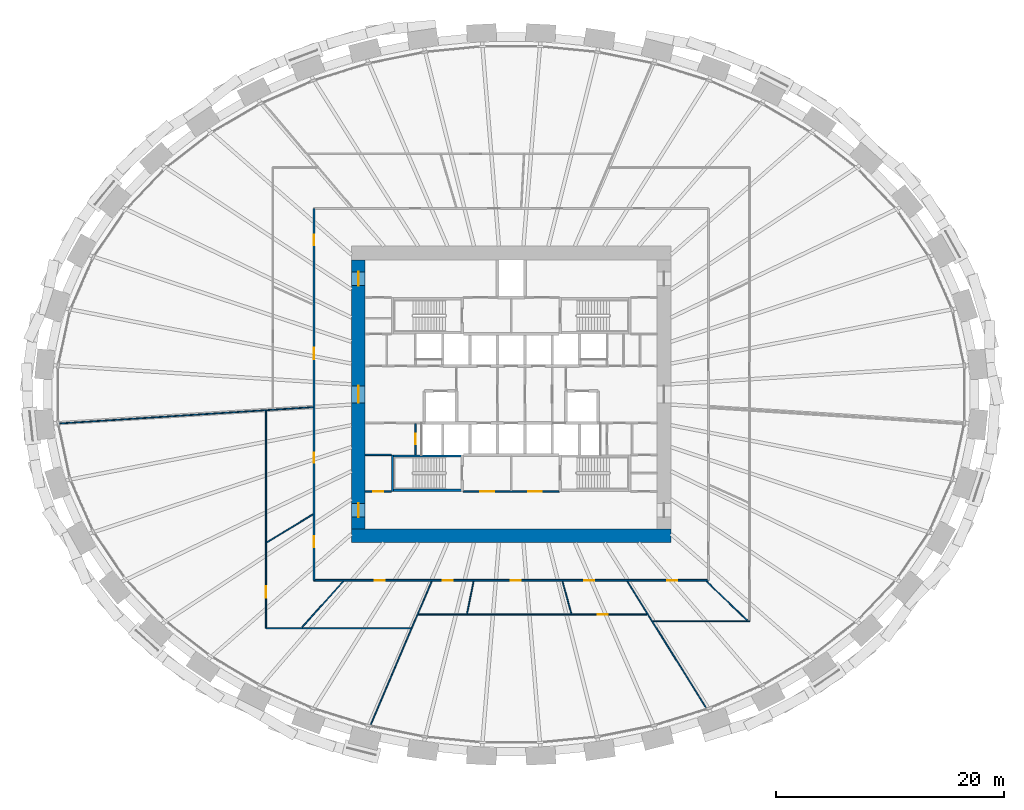
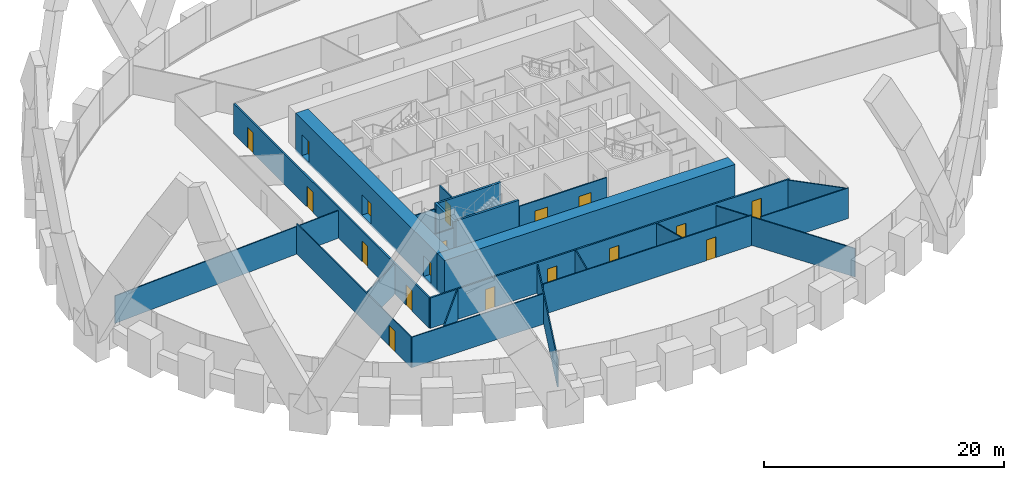
# One storey, part 7 of 12: 23 walls, 18 doors, 18 openings.
"""IFC4 building model written with IfcOpenShell, lengths in metres."""

from ifc_helpers import new_model, si_unit, direction, frame, frame_2d, origin, place, context, subcontext, project, spatial, rectangle, extrude, source, transform, mapped, material, layer, layer_set, type_object, element, fill, save


model = new_model("IFC4")

# Units and contexts
model_context = context("Model", 3, precision=1e-05, world=origin(), true_north=direction((0.0, 1.0)))
body_context = subcontext(model_context, "Body", "Model", "MODEL_VIEW")
ifc_project = project(units=[si_unit("LENGTHUNIT", "METRE"), si_unit("AREAUNIT", "SQUARE_METRE"), si_unit("VOLUMEUNIT", "CUBIC_METRE"), si_unit("PLANEANGLEUNIT", "RADIAN"), si_unit("MASSUNIT", "GRAM", prefix="KILO")], contexts=[model_context])

# Site, building, storey
site_placement = place(None, origin())
site = spatial("IfcSite", under=ifc_project, at=site_placement, CompositionType="ELEMENT")
building_placement = place(site_placement, origin())
building = spatial("IfcBuilding", under=site, at=building_placement, Name="Embergate Tower", CompositionType="ELEMENT")
storey_placement = place(building_placement, frame((0.0, 0.0, 85.39990234375)))
storey = spatial("IfcBuildingStorey", under=building, at=storey_placement, Name="L17", CompositionType="ELEMENT", Elevation=85.39990234375)

# Wall
ifc_material_1 = material(Name="Concrete C80", Category="concrete")
ifc_layer_1 = layer(ifc_material_1, 1.199951171875)
ifc_layer_set_1 = layer_set([ifc_layer_1], Name="Concrete C80")
wall_type_1 = type_object("IfcWallType", Name="Core outer wall C80 1200", PredefinedType="SHEAR", material=ifc_layer_set_1)
shared_shape_1 = source(origin(), body_context, "Body", "SweptSolid", [
    extrude(rectangle(XDim=28.0, YDim=1.199951171875, at=frame_2d((14.0, 0.0))), origin(), (0.0, 0.0, 1.0), 3.900146484375),
])
wall_1_placement = place(storey_placement, frame((-14.0, -12.39990234375, -0.199951171875), z_axis=(0.0, 0.0, 1.0), x_axis=(1.0, 0.0, 0.0)))
element("IfcWall", 1, at=wall_1_placement, inside=storey, type_object=wall_type_1, Name="CW-L17-S", PredefinedType="SHEAR", context=body_context, shape_type="MappedRepresentation", body=[
    mapped(shared_shape_1, transform((0.0, 0.0, 0.0))),
])

# Wall, openings, doors
shared_shape_2 = source(origin(), body_context, "Body", "SweptSolid", [
    extrude(rectangle(XDim=23.60009765625, YDim=1.199951171875, at=frame_2d((11.800048828125, 0.0))), origin(), (0.0, 0.0, 1.0), 3.900146484375),
])
wall_2_placement = place(storey_placement, frame((-13.39990234375, -11.800048828125, -0.199951171875), z_axis=(0.0, 0.0, 1.0), x_axis=(0.0, 1.0, 0.0)))
wall_2 = element("IfcWall", 2, at=wall_2_placement, inside=storey, type_object=wall_type_1, Name="CW-L17-W", PredefinedType="SHEAR", context=body_context, shape_type="MappedRepresentation", body=[
    mapped(shared_shape_2, transform((0.0, 0.0, 0.0))),
])
shared_shape_3 = source(origin(), body_context, "Body", "SweptSolid", [
    extrude(rectangle(XDim=1.199951171875, YDim=2.10009765625, at=frame_2d((0.60009765625, 1.050048828125))), frame((0.0, 0.60986328125, 0.0), z_axis=(0.0, -1.0, 0.0), x_axis=(1.0, 0.0, 0.0)), (0.0, 0.0, 1.0), 1.219970703125),
])
opening_1_placement = place(wall_2_placement, frame((21.35009765625, 0.0, 0.199951171875)))
opening_1 = element("IfcOpeningElement", 3, at=opening_1_placement, cuts=wall_2, Name="Opening IF-1", PredefinedType="OPENING", context=body_context, shape_type="MappedRepresentation", body=[
    mapped(shared_shape_3, transform((0.0, 0.0, 0.0))),
])
opening_2_placement = place(wall_2_placement, frame((1.050048828125, 0.0, 0.199951171875)))
opening_2 = element("IfcOpeningElement", 4, at=opening_2_placement, cuts=wall_2, Name="Opening IF-1", PredefinedType="OPENING", context=body_context, shape_type="MappedRepresentation", body=[
    mapped(shared_shape_3, transform((0.0, 0.0, 0.0))),
])
shared_shape_4 = source(origin(), body_context, "Body", "SweptSolid", [
    extrude(rectangle(XDim=1.5, YDim=2.10009765625, at=frame_2d((0.75, 1.050048828125))), frame((0.0, 0.60986328125, 0.0), z_axis=(0.0, -1.0, 0.0), x_axis=(1.0, 0.0, 0.0)), (0.0, 0.0, 1.0), 1.219970703125),
])
opening_3_placement = place(wall_2_placement, frame((11.050048828125, 0.0, 0.199951171875)))
opening_3 = element("IfcOpeningElement", 5, at=opening_3_placement, cuts=wall_2, Name="Opening IF-3", PredefinedType="OPENING", context=body_context, shape_type="MappedRepresentation", body=[
    mapped(shared_shape_4, transform((0.0, 0.0, 0.0))),
])
ifc_material_2 = material(Name="Escape fire door 1200")
door_type_1 = type_object("IfcDoorType", Name="Escape fire door 1200", OperationType="SINGLE_SWING_LEFT", PredefinedType="DOOR", material=ifc_material_2)
shared_shape_5 = source(origin(), body_context, "Body", "SweptSolid", [
    extrude(rectangle(XDim=1.199951171875, YDim=2.10009765625, at=frame_2d((0.60009765625, 1.050048828125))), frame((0.0, 0.02490234375, 0.0), z_axis=(0.0, -1.0, 0.0), x_axis=(1.0, 0.0, 0.0)), (0.0, 0.0, 1.0), 0.050048828125),
])
door_1_placement = place(opening_1_placement, origin())
door_1 = element("IfcDoor", 6, at=door_1_placement, inside=storey, type_object=door_type_1, Name="IF-1 door", OperationType="SINGLE_SWING_LEFT", OverallHeight=2.10009765625, OverallWidth=1.199951171875, PredefinedType="DOOR", context=body_context, shape_type="MappedRepresentation", body=[
    mapped(shared_shape_5, transform((0.0, 0.0, 0.0))),
])
fill(opening_1, door_1)
door_2_placement = place(opening_2_placement, origin())
door_2 = element("IfcDoor", 7, at=door_2_placement, inside=storey, type_object=door_type_1, Name="IF-1 door", OperationType="SINGLE_SWING_RIGHT", OverallHeight=2.10009765625, OverallWidth=1.199951171875, PredefinedType="DOOR", context=body_context, shape_type="MappedRepresentation", body=[
    mapped(shared_shape_5, transform((0.0, 0.0, 0.0))),
])
fill(opening_2, door_2)
ifc_material_3 = material(Name="Lobby fire door pair 1500")
door_type_2 = type_object("IfcDoorType", Name="Lobby fire door pair 1500", OperationType="DOUBLE_DOOR_SINGLE_SWING", PredefinedType="DOOR", material=ifc_material_3)
shared_shape_6 = source(origin(), body_context, "Body", "SweptSolid", [
    extrude(rectangle(XDim=1.5, YDim=2.10009765625, at=frame_2d((0.75, 1.050048828125))), frame((0.0, 0.02490234375, 0.0), z_axis=(0.0, -1.0, 0.0), x_axis=(1.0, 0.0, 0.0)), (0.0, 0.0, 1.0), 0.050048828125),
])
door_3_placement = place(opening_3_placement, origin())
door_3 = element("IfcDoor", 8, at=door_3_placement, inside=storey, type_object=door_type_2, Name="IF-3 door", OperationType="DOUBLE_DOOR_SINGLE_SWING", OverallHeight=2.10009765625, OverallWidth=1.5, PredefinedType="DOOR", context=body_context, shape_type="MappedRepresentation", body=[
    mapped(shared_shape_6, transform((0.0, 0.0, 0.0))),
])
fill(opening_3, door_3)

# Wall, opening, door
ifc_material_4 = material(Name="Core partition blockwork 120")
ifc_layer_2 = layer(ifc_material_4, 0.1201171875)
ifc_layer_set_2 = layer_set([ifc_layer_2], Name="Core partition blockwork 120")
wall_type_2 = type_object("IfcWallType", Name="Core partition blockwork 120", PredefinedType="PARTITIONING", material=ifc_layer_set_2)
shared_shape_7 = source(origin(), body_context, "Body", "SweptSolid", [
    extrude(rectangle(XDim=2.739990234375, YDim=0.1201171875, at=frame_2d((1.3701171875, 0.0))), origin(), (0.0, 0.0, 1.0), 3.10009765625),
])
wall_3_placement = place(storey_placement, frame((-8.39990234375, -2.56005859375, 0.0), z_axis=(0.0, 0.0, 1.0), x_axis=(0.0, -1.0, 0.0)))
wall_3 = element("IfcWall", 9, at=wall_3_placement, inside=storey, type_object=wall_type_2, Name="IP-3 wall", PredefinedType="PARTITIONING", context=body_context, shape_type="MappedRepresentation", body=[
    mapped(shared_shape_7, transform((0.0, 0.0, 0.0))),
])
shared_shape_8 = source(origin(), body_context, "Body", "SweptSolid", [
    extrude(rectangle(XDim=0.89990234375, YDim=2.10009765625, at=frame_2d((0.449951171875, 1.050048828125))), frame((0.0, 0.070068359375, 0.0), z_axis=(0.0, -1.0, 0.0), x_axis=(1.0, 0.0, 0.0)), (0.0, 0.0, 1.0), 0.14013671875),
])
opening_4_placement = place(wall_3_placement, frame((0.889892578125, 0.0, 0.0)))
opening_4 = element("IfcOpeningElement", 10, at=opening_4_placement, cuts=wall_3, Name="Opening ID-1", PredefinedType="OPENING", context=body_context, shape_type="MappedRepresentation", body=[
    mapped(shared_shape_8, transform((0.0, 0.0, 0.0))),
])
ifc_material_5 = material(Name="Interior door 900")
door_type_3 = type_object("IfcDoorType", Name="Interior door 900", OperationType="SINGLE_SWING_LEFT", PredefinedType="DOOR", material=ifc_material_5)
shared_shape_9 = source(origin(), body_context, "Body", "SweptSolid", [
    extrude(rectangle(XDim=0.89990234375, YDim=2.10009765625, at=frame_2d((0.449951171875, 1.050048828125))), frame((0.0, 0.02490234375, 0.0), z_axis=(0.0, -1.0, 0.0), x_axis=(1.0, 0.0, 0.0)), (0.0, 0.0, 1.0), 0.050048828125),
])
door_4_placement = place(opening_4_placement, origin())
door_4 = element("IfcDoor", 11, at=door_4_placement, inside=storey, type_object=door_type_3, Name="ID-1 door", OperationType="SINGLE_SWING_RIGHT", OverallHeight=2.10009765625, OverallWidth=0.89990234375, PredefinedType="DOOR", context=body_context, shape_type="MappedRepresentation", body=[
    mapped(shared_shape_9, transform((0.0, 0.0, 0.0))),
])
fill(opening_4, door_4)

# Wall, openings, doors
shared_shape_10 = source(origin(), body_context, "Body", "SweptSolid", [
    extrude(rectangle(XDim=8.39990234375, YDim=0.1201171875, at=frame_2d((4.199951171875, 0.0))), origin(), (0.0, 0.0, 1.0), 3.10009765625),
])
wall_4_placement = place(storey_placement, frame((-4.199951171875, -8.5, 0.0), z_axis=(0.0, 0.0, 1.0), x_axis=(1.0, 0.0, 0.0)))
wall_4 = element("IfcWall", 12, at=wall_4_placement, inside=storey, type_object=wall_type_2, Name="IP-3 wall", PredefinedType="PARTITIONING", context=body_context, shape_type="MappedRepresentation", body=[
    mapped(shared_shape_10, transform((0.0, 0.0, 0.0))),
])
shared_shape_11 = source(origin(), body_context, "Body", "SweptSolid", [
    extrude(rectangle(XDim=1.199951171875, YDim=2.10009765625, at=frame_2d((0.60009765625, 1.050048828125))), frame((0.0, 0.070068359375, 0.0), z_axis=(0.0, -1.0, 0.0), x_axis=(1.0, 0.0, 0.0)), (0.0, 0.0, 1.0), 0.14013671875),
])
opening_5_placement = place(wall_4_placement, frame((1.5, 0.0, 0.0)))
opening_5 = element("IfcOpeningElement", 13, at=opening_5_placement, cuts=wall_4, Name="Opening IF-3f", PredefinedType="OPENING", context=body_context, shape_type="MappedRepresentation", body=[
    mapped(shared_shape_11, transform((0.0, 0.0, 0.0))),
])
opening_6_placement = place(wall_4_placement, frame((5.699951171875, 0.0, 0.0)))
opening_6 = element("IfcOpeningElement", 14, at=opening_6_placement, cuts=wall_4, Name="Opening IF-3f", PredefinedType="OPENING", context=body_context, shape_type="MappedRepresentation", body=[
    mapped(shared_shape_11, transform((0.0, 0.0, 0.0))),
])
ifc_material_6 = material(Name="Lobby fire door pair 1200")
door_type_4 = type_object("IfcDoorType", Name="Lobby fire door pair 1200", OperationType="DOUBLE_DOOR_SINGLE_SWING", PredefinedType="DOOR", material=ifc_material_6)
door_5_placement = place(opening_5_placement, origin())
door_5 = element("IfcDoor", 15, at=door_5_placement, inside=storey, type_object=door_type_4, Name="IF-3 door", OperationType="DOUBLE_DOOR_SINGLE_SWING", OverallHeight=2.10009765625, OverallWidth=1.199951171875, PredefinedType="DOOR", context=body_context, shape_type="MappedRepresentation", body=[
    mapped(shared_shape_5, transform((0.0, 0.0, 0.0))),
])
fill(opening_5, door_5)
door_6_placement = place(opening_6_placement, origin())
door_6 = element("IfcDoor", 16, at=door_6_placement, inside=storey, type_object=door_type_4, Name="IF-3 door", OperationType="DOUBLE_DOOR_SINGLE_SWING", OverallHeight=2.10009765625, OverallWidth=1.199951171875, PredefinedType="DOOR", context=body_context, shape_type="MappedRepresentation", body=[
    mapped(shared_shape_5, transform((0.0, 0.0, 0.0))),
])
fill(opening_6, door_6)

# Wall, opening, door
shared_shape_12 = source(origin(), body_context, "Body", "SweptSolid", [
    extrude(rectangle(XDim=2.300048828125, YDim=0.1201171875, at=frame_2d((1.14990234375, 0.0))), origin(), (0.0, 0.0, 1.0), 3.10009765625),
])
wall_5_placement = place(storey_placement, frame((-10.5, -8.5, 0.0), z_axis=(0.0, 0.0, 1.0), x_axis=(-1.0, 0.0, 0.0)))
wall_5 = element("IfcWall", 17, at=wall_5_placement, inside=storey, type_object=wall_type_2, Name="IP-3 wall", PredefinedType="PARTITIONING", context=body_context, shape_type="MappedRepresentation", body=[
    mapped(shared_shape_12, transform((0.0, 0.0, 0.0))),
])
opening_7_placement = place(wall_5_placement, frame((0.699951171875, 0.0, 0.0)))
opening_7 = element("IfcOpeningElement", 18, at=opening_7_placement, cuts=wall_5, Name="Opening ID-1", PredefinedType="OPENING", context=body_context, shape_type="MappedRepresentation", body=[
    mapped(shared_shape_8, transform((0.0, 0.0, 0.0))),
])
door_7_placement = place(opening_7_placement, origin())
door_7 = element("IfcDoor", 19, at=door_7_placement, inside=storey, type_object=door_type_3, Name="ID-1 door", OperationType="SINGLE_SWING_RIGHT", OverallHeight=2.10009765625, OverallWidth=0.89990234375, PredefinedType="DOOR", context=body_context, shape_type="MappedRepresentation", body=[
    mapped(shared_shape_9, transform((0.0, 0.0, 0.0))),
])
fill(opening_7, door_7)

# Walls
wall_6_placement = place(storey_placement, frame((-12.800048828125, -5.300048828125, 0.0), z_axis=(0.0, 0.0, 1.0), x_axis=(1.0, 0.0, 0.0)))
element("IfcWall", 20, at=wall_6_placement, inside=storey, type_object=wall_type_2, Name="IP-3 wall", PredefinedType="PARTITIONING", context=body_context, shape_type="MappedRepresentation", body=[
    mapped(shared_shape_12, transform((0.0, 0.0, 0.0))),
])
ifc_material_7 = material(Name="Concrete C50", Category="concrete")
ifc_layer_3 = layer(ifc_material_7, 0.199951171875)
ifc_layer_set_3 = layer_set([ifc_layer_3], Name="Concrete C50")
wall_type_3 = type_object("IfcWallType", Name="Stair enclosure wall reinforced concrete 250", PredefinedType="SHEAR", material=ifc_layer_set_3)
shared_shape_13 = source(origin(), body_context, "Body", "SweptSolid", [
    extrude(rectangle(XDim=6.300048828125, YDim=0.199951171875, at=frame_2d((3.14990234375, 0.0))), origin(), (0.0, 0.0, 1.0), 3.7001953125),
])
for number, where, z_axis, x_axis, name in (
    (21, (-10.5, -5.39990234375, 0.0), (0.0, 0.0, 1.0), (1.0, 0.0, 0.0), "SE-1 wall"),
    (22, (-10.5, -8.39990234375, 0.0), (0.0, 0.0, 1.0), (1.0, 0.0, 0.0), "SE-1 wall"),
):
    element("IfcWall", number, at=place(storey_placement, frame(where, z_axis=z_axis, x_axis=x_axis)), inside=storey, type_object=wall_type_3, Name=name, PredefinedType="SHEAR", context=body_context, shape_type="MappedRepresentation", body=[
        mapped(shared_shape_13, transform((0.0, 0.0, 0.0))),
    ])
shared_shape_14 = source(origin(), body_context, "Body", "SweptSolid", [
    extrude(rectangle(XDim=3.199951171875, YDim=0.199951171875, at=frame_2d((1.60009765625, 0.0))), origin(), (0.0, 0.0, 1.0), 3.7001953125),
])
wall_7_placement = place(storey_placement, frame((-10.39990234375, -5.300048828125, 0.0), z_axis=(0.0, 0.0, 1.0), x_axis=(0.0, -1.0, 0.0)))
element("IfcWall", 23, at=wall_7_placement, inside=storey, type_object=wall_type_3, Name="SE-1 wall", PredefinedType="SHEAR", context=body_context, shape_type="MappedRepresentation", body=[
    mapped(shared_shape_14, transform((0.0, 0.0, 0.0))),
])

# Wall, openings, doors
ifc_material_8 = material(Name="Corridor wall dry-lined 150")
ifc_layer_4 = layer(ifc_material_8, 0.14990234375)
ifc_layer_set_4 = layer_set([ifc_layer_4], Name="Corridor wall dry-lined 150")
wall_type_4 = type_object("IfcWallType", Name="Corridor wall dry-lined 150", PredefinedType="PARTITIONING", material=ifc_layer_set_4)
shared_shape_15 = source(origin(), body_context, "Body", "SweptSolid", [
    extrude(rectangle(XDim=32.60009765625, YDim=0.14990234375, at=frame_2d((16.300048828125, 0.0))), origin(), (0.0, 0.0, 1.0), 3.10009765625),
])
wall_8_placement = place(storey_placement, frame((-17.300048828125, -16.300048828125, 0.0), z_axis=(0.0, 0.0, 1.0), x_axis=(0.0, 1.0, 0.0)))
wall_8 = element("IfcWall", 24, at=wall_8_placement, inside=storey, type_object=wall_type_4, Name="IP-2 wall", PredefinedType="PARTITIONING", context=body_context, shape_type="MappedRepresentation", body=[
    mapped(shared_shape_15, transform((0.0, 0.0, 0.0))),
])
shared_shape_16 = source(origin(), body_context, "Body", "SweptSolid", [
    extrude(rectangle(XDim=0.89990234375, YDim=2.10009765625, at=frame_2d((0.449951171875, 1.050048828125))), frame((0.0, 0.0849609375, 0.0), z_axis=(0.0, -1.0, 0.0), x_axis=(1.0, 0.0, 0.0)), (0.0, 0.0, 1.0), 0.169921875),
])
opening_8_placement = place(wall_8_placement, frame((10.294921875, 0.0, 0.0)))
opening_8 = element("IfcOpeningElement", 25, at=opening_8_placement, cuts=wall_8, Name="Opening IF-1c", PredefinedType="OPENING", context=body_context, shape_type="MappedRepresentation", body=[
    mapped(shared_shape_16, transform((0.0, 0.0, 0.0))),
])
shared_shape_17 = source(origin(), body_context, "Body", "SweptSolid", [
    extrude(rectangle(XDim=1.0, YDim=2.10009765625, at=frame_2d((0.5, 1.050048828125))), frame((0.0, 0.0849609375, 0.0), z_axis=(0.0, -1.0, 0.0), x_axis=(1.0, 0.0, 0.0)), (0.0, 0.0, 1.0), 0.169921875),
])
opening_9_placement = place(wall_8_placement, frame((2.882080078125, 0.0, 0.0)))
opening_9 = element("IfcOpeningElement", 26, at=opening_9_placement, cuts=wall_8, Name="Opening ID-2", PredefinedType="OPENING", context=body_context, shape_type="MappedRepresentation", body=[
    mapped(shared_shape_17, transform((0.0, 0.0, 0.0))),
])
opening_10_placement = place(wall_8_placement, frame((29.385009765625, 0.0, 0.0)))
opening_10 = element("IfcOpeningElement", 27, at=opening_10_placement, cuts=wall_8, Name="Opening IF-1c", PredefinedType="OPENING", context=body_context, shape_type="MappedRepresentation", body=[
    mapped(shared_shape_16, transform((0.0, 0.0, 0.0))),
])
opening_11_placement = place(wall_8_placement, frame((19.389892578125, 0.0, 0.0)))
opening_11 = element("IfcOpeningElement", 28, at=opening_11_placement, cuts=wall_8, Name="Opening ID-2", PredefinedType="OPENING", context=body_context, shape_type="MappedRepresentation", body=[
    mapped(shared_shape_17, transform((0.0, 0.0, 0.0))),
])
ifc_material_9 = material(Name="Escape fire door 900")
door_type_5 = type_object("IfcDoorType", Name="Escape fire door 900", OperationType="SINGLE_SWING_LEFT", PredefinedType="DOOR", material=ifc_material_9)
door_8_placement = place(opening_8_placement, origin())
door_8 = element("IfcDoor", 29, at=door_8_placement, inside=storey, type_object=door_type_5, Name="IF-1 door", OperationType="SINGLE_SWING_RIGHT", OverallHeight=2.10009765625, OverallWidth=0.89990234375, PredefinedType="DOOR", context=body_context, shape_type="MappedRepresentation", body=[
    mapped(shared_shape_9, transform((0.0, 0.0, 0.0))),
])
fill(opening_8, door_8)
door_9_placement = place(opening_10_placement, origin())
door_9 = element("IfcDoor", 30, at=door_9_placement, inside=storey, type_object=door_type_5, Name="IF-1 door", OperationType="SINGLE_SWING_RIGHT", OverallHeight=2.10009765625, OverallWidth=0.89990234375, PredefinedType="DOOR", context=body_context, shape_type="MappedRepresentation", body=[
    mapped(shared_shape_9, transform((0.0, 0.0, 0.0))),
])
fill(opening_10, door_9)
ifc_material_10 = material(Name="Interior door 1000")
door_type_6 = type_object("IfcDoorType", Name="Interior door 1000", OperationType="SINGLE_SWING_LEFT", PredefinedType="DOOR", material=ifc_material_10)
shared_shape_18 = source(origin(), body_context, "Body", "SweptSolid", [
    extrude(rectangle(XDim=1.0, YDim=2.10009765625, at=frame_2d((0.5, 1.050048828125))), frame((0.0, 0.02490234375, 0.0), z_axis=(0.0, -1.0, 0.0), x_axis=(1.0, 0.0, 0.0)), (0.0, 0.0, 1.0), 0.050048828125),
])
door_10_placement = place(opening_9_placement, origin())
door_10 = element("IfcDoor", 31, at=door_10_placement, inside=storey, type_object=door_type_6, Name="ID-2 door", OperationType="SINGLE_SWING_LEFT", OverallHeight=2.10009765625, OverallWidth=1.0, PredefinedType="DOOR", context=body_context, shape_type="MappedRepresentation", body=[
    mapped(shared_shape_18, transform((0.0, 0.0, 0.0))),
])
fill(opening_9, door_10)
door_11_placement = place(opening_11_placement, origin())
door_11 = element("IfcDoor", 32, at=door_11_placement, inside=storey, type_object=door_type_6, Name="ID-2 door", OperationType="SINGLE_SWING_RIGHT", OverallHeight=2.10009765625, OverallWidth=1.0, PredefinedType="DOOR", context=body_context, shape_type="MappedRepresentation", body=[
    mapped(shared_shape_18, transform((0.0, 0.0, 0.0))),
])
fill(opening_11, door_11)

shared_shape_19 = source(origin(), body_context, "Body", "SweptSolid", [
    extrude(rectangle(XDim=34.60009765625, YDim=0.14990234375, at=frame_2d((17.300048828125, 0.0))), origin(), (0.0, 0.0, 1.0), 3.10009765625),
])
wall_9_placement = place(storey_placement, frame((17.300048828125, -16.300048828125, 0.0), z_axis=(0.0, 0.0, 1.0), x_axis=(-1.0, 0.0, 0.0)))
wall_9 = element("IfcWall", 33, at=wall_9_placement, inside=storey, type_object=wall_type_4, Name="IP-2 wall", PredefinedType="PARTITIONING", context=body_context, shape_type="MappedRepresentation", body=[
    mapped(shared_shape_19, transform((0.0, 0.0, 0.0))),
])
opening_12_placement = place(wall_9_placement, frame((28.383056640625, 0.0, 0.0)))
opening_12 = element("IfcOpeningElement", 34, at=opening_12_placement, cuts=wall_9, Name="Opening IF-1c", PredefinedType="OPENING", context=body_context, shape_type="MappedRepresentation", body=[
    mapped(shared_shape_16, transform((0.0, 0.0, 0.0))),
])
opening_13_placement = place(wall_9_placement, frame((22.410888671875, 0.0, 0.0)))
opening_13 = element("IfcOpeningElement", 35, at=opening_13_placement, cuts=wall_9, Name="Opening IF-1c", PredefinedType="OPENING", context=body_context, shape_type="MappedRepresentation", body=[
    mapped(shared_shape_16, transform((0.0, 0.0, 0.0))),
])
opening_14_placement = place(wall_9_placement, frame((16.443115234375, 0.0, 0.0)))
opening_14 = element("IfcOpeningElement", 36, at=opening_14_placement, cuts=wall_9, Name="Opening IF-1c", PredefinedType="OPENING", context=body_context, shape_type="MappedRepresentation", body=[
    mapped(shared_shape_16, transform((0.0, 0.0, 0.0))),
])
opening_15_placement = place(wall_9_placement, frame((10.006103515625, 0.0, 0.0)))
opening_15 = element("IfcOpeningElement", 37, at=opening_15_placement, cuts=wall_9, Name="Opening IF-1c", PredefinedType="OPENING", context=body_context, shape_type="MappedRepresentation", body=[
    mapped(shared_shape_16, transform((0.0, 0.0, 0.0))),
])
opening_16_placement = place(wall_9_placement, frame((2.73291015625, 0.0, 0.0)))
opening_16 = element("IfcOpeningElement", 38, at=opening_16_placement, cuts=wall_9, Name="Opening IF-1c", PredefinedType="OPENING", context=body_context, shape_type="MappedRepresentation", body=[
    mapped(shared_shape_16, transform((0.0, 0.0, 0.0))),
])
door_12_placement = place(opening_12_placement, origin())
door_12 = element("IfcDoor", 39, at=door_12_placement, inside=storey, type_object=door_type_5, Name="IF-1 door", OperationType="SINGLE_SWING_LEFT", OverallHeight=2.10009765625, OverallWidth=0.89990234375, PredefinedType="DOOR", context=body_context, shape_type="MappedRepresentation", body=[
    mapped(shared_shape_9, transform((0.0, 0.0, 0.0))),
])
fill(opening_12, door_12)
door_13_placement = place(opening_13_placement, origin())
door_13 = element("IfcDoor", 40, at=door_13_placement, inside=storey, type_object=door_type_5, Name="IF-1 door", OperationType="SINGLE_SWING_LEFT", OverallHeight=2.10009765625, OverallWidth=0.89990234375, PredefinedType="DOOR", context=body_context, shape_type="MappedRepresentation", body=[
    mapped(shared_shape_9, transform((0.0, 0.0, 0.0))),
])
fill(opening_13, door_13)
door_14_placement = place(opening_14_placement, origin())
door_14 = element("IfcDoor", 41, at=door_14_placement, inside=storey, type_object=door_type_5, Name="IF-1 door", OperationType="SINGLE_SWING_RIGHT", OverallHeight=2.10009765625, OverallWidth=0.89990234375, PredefinedType="DOOR", context=body_context, shape_type="MappedRepresentation", body=[
    mapped(shared_shape_9, transform((0.0, 0.0, 0.0))),
])
fill(opening_14, door_14)
door_15_placement = place(opening_15_placement, origin())
door_15 = element("IfcDoor", 42, at=door_15_placement, inside=storey, type_object=door_type_5, Name="IF-1 door", OperationType="SINGLE_SWING_RIGHT", OverallHeight=2.10009765625, OverallWidth=0.89990234375, PredefinedType="DOOR", context=body_context, shape_type="MappedRepresentation", body=[
    mapped(shared_shape_9, transform((0.0, 0.0, 0.0))),
])
fill(opening_15, door_15)
door_16_placement = place(opening_16_placement, origin())
door_16 = element("IfcDoor", 43, at=door_16_placement, inside=storey, type_object=door_type_5, Name="IF-1 door", OperationType="SINGLE_SWING_RIGHT", OverallHeight=2.10009765625, OverallWidth=0.89990234375, PredefinedType="DOOR", context=body_context, shape_type="MappedRepresentation", body=[
    mapped(shared_shape_9, transform((0.0, 0.0, 0.0))),
])
fill(opening_16, door_16)

# Wall
ifc_material_11 = material(Name="Partition dry-lined 100")
ifc_layer_5 = layer(ifc_material_11, 0.10009765625)
ifc_layer_set_5 = layer_set([ifc_layer_5], Name="Partition dry-lined 100")
wall_type_5 = type_object("IfcWallType", Name="Partition dry-lined 100", PredefinedType="PARTITIONING", material=ifc_layer_set_5)
shared_shape_20 = source(origin(), body_context, "Body", "SweptSolid", [
    extrude(rectangle(XDim=4.70263671875, YDim=0.10009765625, at=frame_2d((2.351318359375, 0.0))), origin(), (0.0, 0.0, 1.0), 3.10009765625),
])
wall_10_placement = place(storey_placement, frame((-17.40087890625, -10.528076171875, 0.0), z_axis=(0.0, 0.0, 1.0), x_axis=(-0.855526101792, -0.517759682819, 0.0)))
element("IfcWall", 44, at=wall_10_placement, inside=storey, type_object=wall_type_5, Name="IP-1 wall", PredefinedType="PARTITIONING", context=body_context, shape_type="MappedRepresentation", body=[
    mapped(shared_shape_20, transform((0.0, 0.0, 0.0))),
])

# Wall, opening, door
shared_shape_21 = source(origin(), body_context, "Body", "SweptSolid", [
    extrude(rectangle(XDim=19.06591796875, YDim=0.10009765625, at=frame_2d((9.532958984375, 0.0))), origin(), (0.0, 0.0, 1.0), 3.10009765625),
])
wall_11_placement = place(storey_placement, frame((-21.5, -20.5, 0.0), z_axis=(0.0, 0.0, 1.0), x_axis=(0.0, 1.0, 0.0)))
wall_11 = element("IfcWall", 45, at=wall_11_placement, inside=storey, type_object=wall_type_5, Name="IP-1 wall", PredefinedType="PARTITIONING", context=body_context, shape_type="MappedRepresentation", body=[
    mapped(shared_shape_21, transform((0.0, 0.0, 0.0))),
])
shared_shape_22 = source(origin(), body_context, "Body", "SweptSolid", [
    extrude(rectangle(XDim=1.0, YDim=2.10009765625, at=frame_2d((0.5, 1.050048828125))), frame((0.0, 0.06005859375, 0.0), z_axis=(0.0, -1.0, 0.0), x_axis=(1.0, 0.0, 0.0)), (0.0, 0.0, 1.0), 0.1201171875),
])
opening_17_placement = place(wall_11_placement, frame((2.656982421875, 0.0, 0.0)))
opening_17 = element("IfcOpeningElement", 46, at=opening_17_placement, cuts=wall_11, Name="Opening ID-2", PredefinedType="OPENING", context=body_context, shape_type="MappedRepresentation", body=[
    mapped(shared_shape_22, transform((0.0, 0.0, 0.0))),
])
door_17_placement = place(opening_17_placement, origin())
door_17 = element("IfcDoor", 47, at=door_17_placement, inside=storey, type_object=door_type_6, Name="ID-2 door", OperationType="SINGLE_SWING_LEFT", OverallHeight=2.10009765625, OverallWidth=1.0, PredefinedType="DOOR", context=body_context, shape_type="MappedRepresentation", body=[
    mapped(shared_shape_18, transform((0.0, 0.0, 0.0))),
])
fill(opening_17, door_17)

# Walls
shared_shape_23 = source(origin(), body_context, "Body", "SweptSolid", [
    extrude(rectangle(XDim=22.39013671875, YDim=0.10009765625, at=frame_2d((11.195068359375, 0.0))), origin(), (0.0, 0.0, 1.0), 2.800048828125),
])
wall_12_placement = place(storey_placement, frame((-39.718994140625, -2.555908203125, 0.0), z_axis=(0.0, 0.0, 1.0), x_axis=(0.997935511043, 0.064223950351, 0.0)))
element("IfcWall", 48, at=wall_12_placement, inside=storey, type_object=wall_type_5, Name="IP-1 wall", PredefinedType="PARTITIONING", context=body_context, shape_type="MappedRepresentation", body=[
    mapped(shared_shape_23, transform((0.0, 0.0, 0.0))),
])
shared_shape_24 = source(origin(), body_context, "Body", "SweptSolid", [
    extrude(rectangle(XDim=5.38818359375, YDim=0.10009765625, at=frame_2d((2.694091796875, 0.0))), origin(), (0.0, 0.0, 1.0), 3.10009765625),
])
wall_13_placement = place(storey_placement, frame((-14.738037109375, -16.407958984375, 0.0), z_axis=(0.0, 0.0, 1.0), x_axis=(-0.668115646825, -0.744057445677, 0.0)))
element("IfcWall", 49, at=wall_13_placement, inside=storey, type_object=wall_type_5, Name="IP-1 wall", PredefinedType="PARTITIONING", context=body_context, shape_type="MappedRepresentation", body=[
    mapped(shared_shape_24, transform((0.0, 0.0, 0.0))),
])
shared_shape_25 = source(origin(), body_context, "Body", "SweptSolid", [
    extrude(rectangle(XDim=12.701904296875, YDim=0.10009765625, at=frame_2d((6.35107421875, 0.0))), origin(), (0.0, 0.0, 1.0), 3.10009765625),
])
wall_14_placement = place(storey_placement, frame((-8.798095703125, -20.5, 0.0), z_axis=(0.0, 0.0, 1.0), x_axis=(-1.0, 0.0, 0.0)))
element("IfcWall", 50, at=wall_14_placement, inside=storey, type_object=wall_type_5, Name="IP-1 wall", PredefinedType="PARTITIONING", context=body_context, shape_type="MappedRepresentation", body=[
    mapped(shared_shape_25, transform((0.0, 0.0, 0.0))),
])
ifc_material_12 = material(Name="Partition dry-lined 100 wet")
ifc_layer_6 = layer(ifc_material_12, 0.10009765625)
ifc_layer_set_6 = layer_set([ifc_layer_6], Name="Partition dry-lined 100 wet")
wall_type_6 = type_object("IfcWallType", Name="Partition dry-lined 100 wet", PredefinedType="PLUMBINGWALL", material=ifc_layer_set_6)
shared_shape_26 = source(origin(), body_context, "Body", "SweptSolid", [
    extrude(rectangle(XDim=2.912353515625, YDim=0.10009765625, at=frame_2d((1.4560546875, 0.0))), origin(), (0.0, 0.0, 1.0), 3.10009765625),
])
wall_15_placement = place(storey_placement, frame((-3.300048828125, -16.385009765625, 0.0), z_axis=(0.0, 0.0, 1.0), x_axis=(-0.197421788851, -0.980318640691, 0.0)))
element("IfcWall", 51, at=wall_15_placement, inside=storey, type_object=wall_type_6, Name="IP-1 wall", PredefinedType="PLUMBINGWALL", context=body_context, shape_type="MappedRepresentation", body=[
    mapped(shared_shape_26, transform((0.0, 0.0, 0.0))),
])

# Wall, opening, door
shared_shape_27 = source(origin(), body_context, "Body", "SweptSolid", [
    extrude(rectangle(XDim=20.041015625, YDim=0.10009765625, at=frame_2d((10.0205078125, 0.0))), origin(), (0.0, 0.0, 1.0), 3.10009765625),
])
wall_16_placement = place(storey_placement, frame((11.905029296875, -19.300048828125, 0.0), z_axis=(0.0, 0.0, 1.0), x_axis=(-1.0, 0.0, 0.0)))
wall_16 = element("IfcWall", 52, at=wall_16_placement, inside=storey, type_object=wall_type_6, Name="IP-1 wall", PredefinedType="PLUMBINGWALL", context=body_context, shape_type="MappedRepresentation", body=[
    mapped(shared_shape_27, transform((0.0, 0.0, 0.0))),
])
shared_shape_28 = source(origin(), body_context, "Body", "SweptSolid", [
    extrude(rectangle(XDim=0.89990234375, YDim=2.10009765625, at=frame_2d((0.449951171875, 1.050048828125))), frame((0.0, 0.06005859375, 0.0), z_axis=(0.0, -1.0, 0.0), x_axis=(1.0, 0.0, 0.0)), (0.0, 0.0, 1.0), 0.1201171875),
])
opening_18_placement = place(wall_16_placement, frame((3.434326171875, 0.0, 0.0)))
opening_18 = element("IfcOpeningElement", 53, at=opening_18_placement, cuts=wall_16, Name="Opening ID-1", PredefinedType="OPENING", context=body_context, shape_type="MappedRepresentation", body=[
    mapped(shared_shape_28, transform((0.0, 0.0, 0.0))),
])
door_18_placement = place(opening_18_placement, origin())
door_18 = element("IfcDoor", 54, at=door_18_placement, inside=storey, type_object=door_type_3, Name="ID-1 door", OperationType="SINGLE_SWING_RIGHT", OverallHeight=2.10009765625, OverallWidth=0.89990234375, PredefinedType="DOOR", context=body_context, shape_type="MappedRepresentation", body=[
    mapped(shared_shape_9, transform((0.0, 0.0, 0.0))),
])
fill(opening_18, door_18)

# Walls
shared_shape_29 = source(origin(), body_context, "Body", "SweptSolid", [
    extrude(rectangle(XDim=2.954345703125, YDim=0.10009765625, at=frame_2d((1.47705078125, 0.0))), origin(), (0.0, 0.0, 1.0), 3.10009765625),
])
wall_17_placement = place(storey_placement, frame((4.49609375, -16.387939453125, 0.0), z_axis=(0.0, 0.0, 1.0), x_axis=(0.264368879158, -0.964421637943, 0.0)))
element("IfcWall", 55, at=wall_17_placement, inside=storey, type_object=wall_type_6, Name="IP-1 wall", PredefinedType="PLUMBINGWALL", context=body_context, shape_type="MappedRepresentation", body=[
    mapped(shared_shape_29, transform((0.0, 0.0, 0.0))),
])
shared_shape_30 = source(origin(), body_context, "Body", "SweptSolid", [
    extrude(rectangle(XDim=4.92041015625, YDim=0.10009765625, at=frame_2d((2.460205078125, 0.0))), origin(), (0.0, 0.0, 1.0), 3.10009765625),
])
wall_18_placement = place(storey_placement, frame((17.14111328125, -16.410888671875, 0.0), z_axis=(0.0, 0.0, 1.0), x_axis=(0.722272150113, -0.691608951049, 0.0)))
element("IfcWall", 56, at=wall_18_placement, inside=storey, type_object=wall_type_5, Name="IP-1 wall", PredefinedType="PARTITIONING", context=body_context, shape_type="MappedRepresentation", body=[
    mapped(shared_shape_30, transform((0.0, 0.0, 0.0))),
])
shared_shape_31 = source(origin(), body_context, "Body", "SweptSolid", [
    extrude(rectangle(XDim=8.44189453125, YDim=0.10009765625, at=frame_2d((4.220947265625, 0.0))), origin(), (0.0, 0.0, 1.0), 3.10009765625),
])
wall_19_placement = place(storey_placement, frame((20.89990234375, -19.89990234375, 0.0), z_axis=(0.0, 0.0, 1.0), x_axis=(-1.0, 0.0, 0.0)))
element("IfcWall", 57, at=wall_19_placement, inside=storey, type_object=wall_type_5, Name="IP-1 wall", PredefinedType="PARTITIONING", context=body_context, shape_type="MappedRepresentation", body=[
    mapped(shared_shape_31, transform((0.0, 0.0, 0.0))),
])
shared_shape_32 = source(origin(), body_context, "Body", "SweptSolid", [
    extrude(rectangle(XDim=13.76171875, YDim=0.10009765625, at=frame_2d((6.880859375, 0.0))), origin(), (0.0, 0.0, 1.0), 2.900146484375),
])
wall_20_placement = place(storey_placement, frame((-6.97607421875, -16.39501953125, 0.0), z_axis=(0.0, 0.0, 1.0), x_axis=(-0.391517771794, -0.92017054635, 0.0)))
element("IfcWall", 58, at=wall_20_placement, inside=storey, type_object=wall_type_6, Name="IP-1 wall", PredefinedType="PLUMBINGWALL", context=body_context, shape_type="MappedRepresentation", body=[
    mapped(shared_shape_32, transform((0.0, 0.0, 0.0))),
])
shared_shape_33 = source(origin(), body_context, "Body", "SweptSolid", [
    extrude(rectangle(XDim=13.174072265625, YDim=0.10009765625, at=frame_2d((6.5869140625, 0.0))), origin(), (0.0, 0.0, 1.0), 2.900146484375),
])
wall_21_placement = place(storey_placement, frame((17.14794921875, -27.590087890625, 0.0), z_axis=(0.0, 0.0, 1.0), x_axis=(-0.527846691856, 0.849339666975, 0.0)))
element("IfcWall", 59, at=wall_21_placement, inside=storey, type_object=wall_type_6, Name="IP-1 wall", PredefinedType="PLUMBINGWALL", context=body_context, shape_type="MappedRepresentation", body=[
    mapped(shared_shape_33, transform((0.0, 0.0, 0.0))),
])

save(model, "model.ifc")
